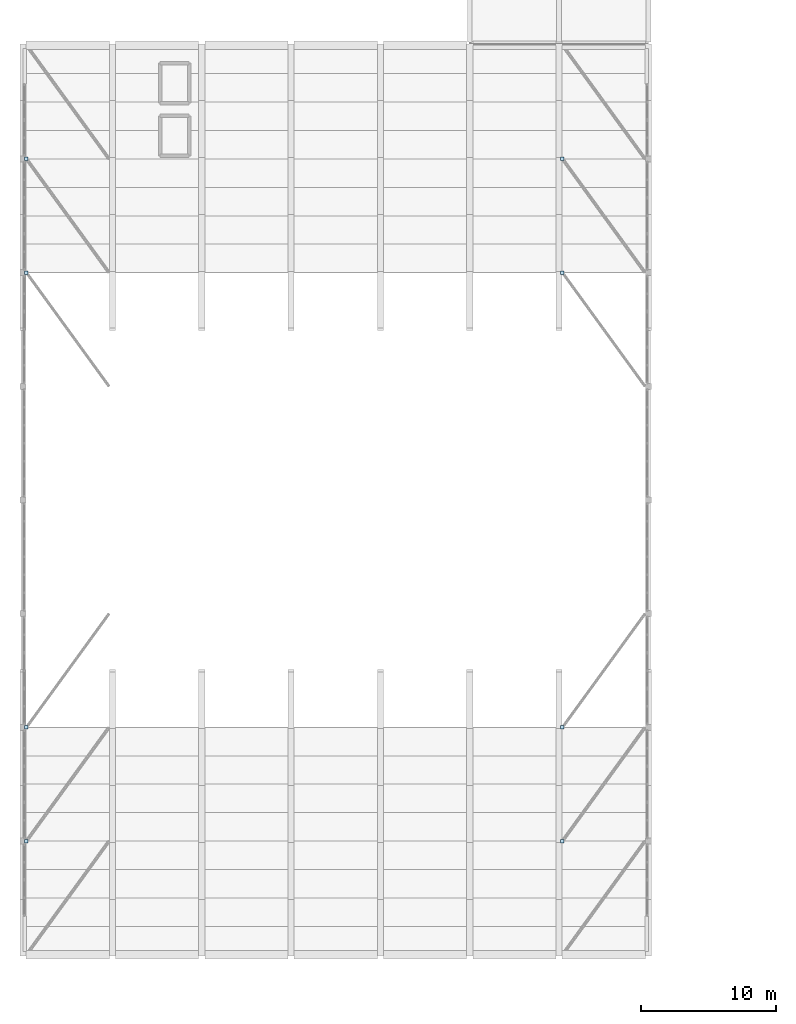
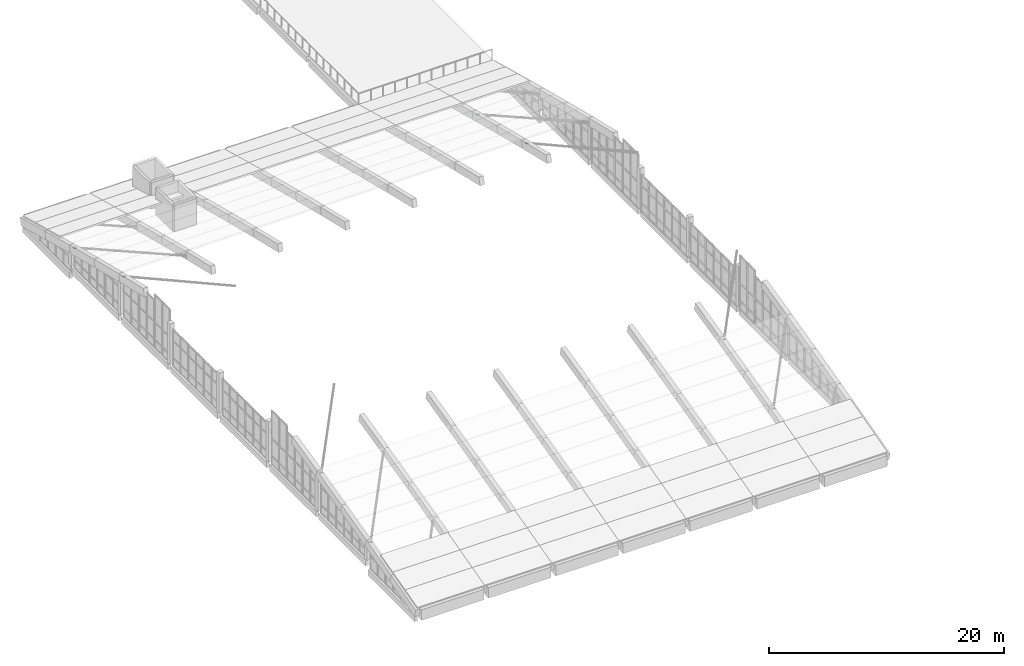
# One storey, part 55 of 78: 8 plates.
"""IFC4 building model written with IfcOpenShell, lengths in metres."""

from ifc_helpers import new_model, si_unit, direction, frame, origin, origin_2d, place, context, subcontext, project, spatial, rectangle, extrude, material, layer, layer_set, type_object, element, save


model = new_model("IFC4")

# Units and contexts
model_context = context("Model", 3, precision=1e-05, world=origin(), true_north=direction((0.0, 1.0)))
body_context = subcontext(model_context, "Body", "Model", "MODEL_VIEW")
ifc_project = project(units=[si_unit("LENGTHUNIT", "METRE"), si_unit("AREAUNIT", "SQUARE_METRE"), si_unit("VOLUMEUNIT", "CUBIC_METRE"), si_unit("PLANEANGLEUNIT", "RADIAN"), si_unit("MASSUNIT", "GRAM", prefix="KILO")], contexts=[model_context])

# Site, building, storey
site_placement = place(None, origin())
site = spatial("IfcSite", under=ifc_project, at=site_placement, CompositionType="ELEMENT")
building_placement = place(site_placement, origin())
building = spatial("IfcBuilding", under=site, at=building_placement, Name="Qaldarim Faculty of Natural and Applied Sciences", CompositionType="ELEMENT")
storey_placement = place(building_placement, frame((0.0, 0.0, 18.60009765625)))
storey = spatial("IfcBuildingStorey", under=building, at=storey_placement, Name="L04", CompositionType="ELEMENT", Elevation=18.60009765625)

# Plates
ifc_material = material(Name="Structural steel S355", Category="steel")
ifc_layer = layer(ifc_material, 0.013916015625)
ifc_layer_set = layer_set([ifc_layer], Name="Structural steel S355")
plate_type = type_object("IfcPlateType", Name="CapPlate-S355-260x260x14", PredefinedType="SHEET", material=ifc_layer_set)
for number, where, z_axis, x_axis, name in (
    (1, (0.25, 25.199951171875, 1.65771484375), (0.0, 0.0, 1.0), (1.0, 0.0, 0.0), "Strut end cap plate SH-STRUT-B1-S2 A"),
    (2, (0.25, 33.60009765625, 3.77294921875), (0.0, 0.0, 1.0), (1.0, 0.0, 0.0), "Strut end cap plate SH-STRUT-B1-S3 A"),
    (3, (0.25, 75.60009765625, 1.65771484375), (0.0, 0.0, 1.0), (1.0, 0.0, 0.0), "Strut end cap plate SH-STRUT-B1-N2 A"),
    (4, (0.25, 67.199951171875, 3.77294921875), (0.0, 0.0, 1.0), (1.0, 0.0, 0.0), "Strut end cap plate SH-STRUT-B1-N3 A"),
    (5, (39.85009765625, 25.199951171875, 1.65771484375), (0.0, 0.0, 1.0), (1.0, 0.0, 0.0), "Strut end cap plate SH-STRUT-B7-S2 A"),
    (6, (39.85009765625, 33.60009765625, 3.77294921875), (0.0, 0.0, 1.0), (1.0, 0.0, 0.0), "Strut end cap plate SH-STRUT-B7-S3 A"),
    (7, (39.85009765625, 75.60009765625, 1.65771484375), (0.0, 0.0, 1.0), (1.0, 0.0, 0.0), "Strut end cap plate SH-STRUT-B7-N2 A"),
    (8, (39.85009765625, 67.199951171875, 3.77294921875), (0.0, 0.0, 1.0), (1.0, 0.0, 0.0), "Strut end cap plate SH-STRUT-B7-N3 A"),
):
    element("IfcPlate", number, at=place(storey_placement, frame(where, z_axis=z_axis, x_axis=x_axis)), inside=storey, type_object=plate_type, Name=name, PredefinedType="SHEET", context=body_context, shape_type="SweptSolid", body=[
        extrude(rectangle(XDim=0.260009765625, YDim=0.260009765625, at=origin_2d()), origin(), (0.0, 0.0, 1.0), 0.013916015625),
    ])

save(model, "model.ifc")
